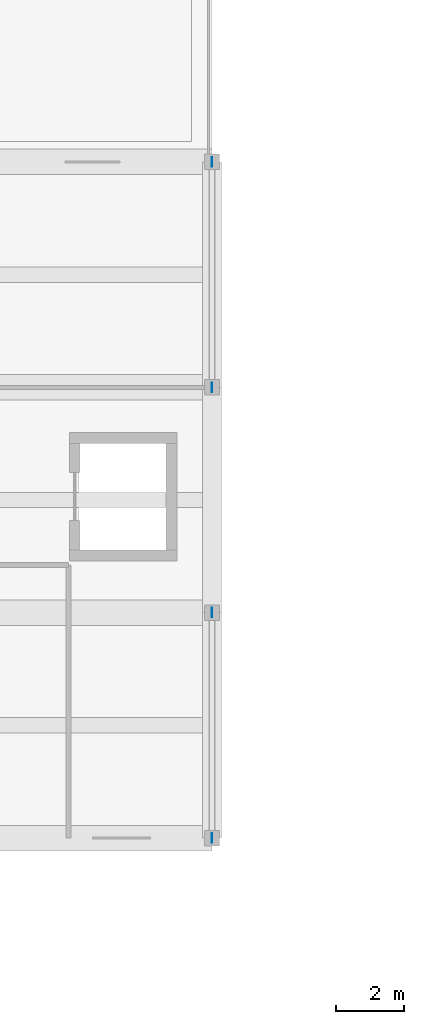
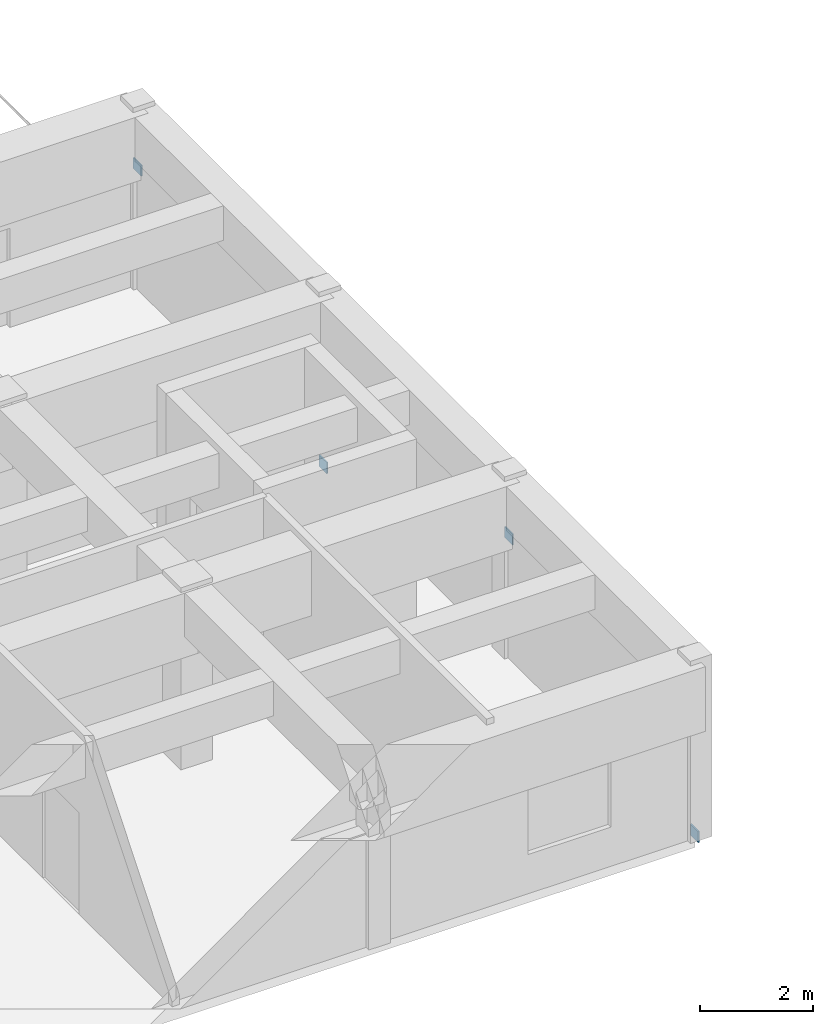
# One storey, part 88 of 106: 4 plates.
"""IFC4 building model written with IfcOpenShell, lengths in metres."""

from ifc_helpers import new_model, si_unit, direction, frame, origin, origin_2d, place, context, subcontext, project, spatial, rectangle, extrude, material, layer, layer_set, type_object, element, save


model = new_model("IFC4")

# Units and contexts
model_context = context("Model", 3, precision=1e-05, world=origin(), true_north=direction((0.0, 1.0)))
body_context = subcontext(model_context, "Body", "Model", "MODEL_VIEW")
ifc_project = project(units=[si_unit("LENGTHUNIT", "METRE"), si_unit("AREAUNIT", "SQUARE_METRE"), si_unit("VOLUMEUNIT", "CUBIC_METRE"), si_unit("PLANEANGLEUNIT", "RADIAN"), si_unit("MASSUNIT", "GRAM", prefix="KILO")], contexts=[model_context])

# Site, building, storey
site_placement = place(None, origin())
site = spatial("IfcSite", under=ifc_project, at=site_placement, CompositionType="ELEMENT")
building_placement = place(site_placement, origin())
building = spatial("IfcBuilding", under=site, at=building_placement, Name="Karori Crest Natural Sciences Institute", CompositionType="ELEMENT")
storey_placement = place(building_placement, frame((0.0, 0.0, 25.89990234375)))
storey = spatial("IfcBuildingStorey", under=building, at=storey_placement, Name="L06", CompositionType="ELEMENT", Elevation=25.89990234375)

# Plates
ifc_material = material(Name="Structural steel AS/NZS 3679.1 Grade 350", Category="steel")
ifc_layer = layer(ifc_material, 0.02490234375, Name="Structural steel AS/NZS 3679.1 Grade 350")
ifc_layer_set = layer_set([ifc_layer], Name="Structural steel AS/NZS 3679.1 Grade 350")
plate_type = type_object("IfcPlateType", Name="PLT-06-EL", PredefinedType="SHEET", material=ifc_layer_set)
for number, where, z_axis, x_axis, name in (
    (1, (27.199951171875, 95.0, -0.10986328125), (0.0, 0.0, 1.0), (0.0, 1.0, 0.0), "Brace gusset plate EP-0380"),
    (2, (27.199951171875, 101.60009765625, 2.34033203125), (0.0, 0.0, 1.0), (0.0, 1.0, 0.0), "Brace gusset plate EP-0381"),
    (3, (27.199951171875, 108.199951171875, -0.10986328125), (0.0, 0.0, 1.0), (0.0, 1.0, 0.0), "Brace gusset plate EP-0382"),
    (4, (27.199951171875, 114.800048828125, 2.34033203125), (0.0, 0.0, 1.0), (0.0, 1.0, 0.0), "Brace gusset plate EP-0383"),
):
    element("IfcPlate", number, at=place(storey_placement, frame(where, z_axis=z_axis, x_axis=x_axis)), inside=storey, type_object=plate_type, Name=name, PredefinedType="SHEET", context=body_context, shape_type="SweptSolid", body=[
        extrude(rectangle(XDim=0.280029296875, YDim=0.02490234375, at=origin_2d()), origin(), (0.0, 0.0, 1.0), 0.239990234375),
    ])

save(model, "model.ifc")
